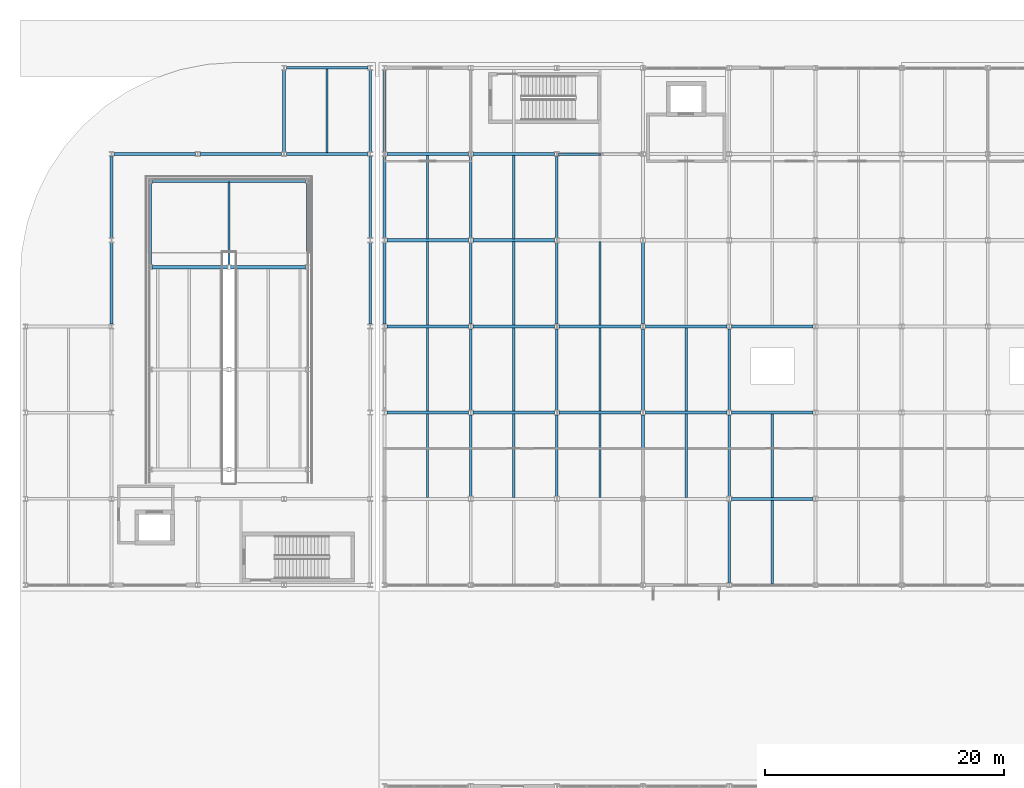
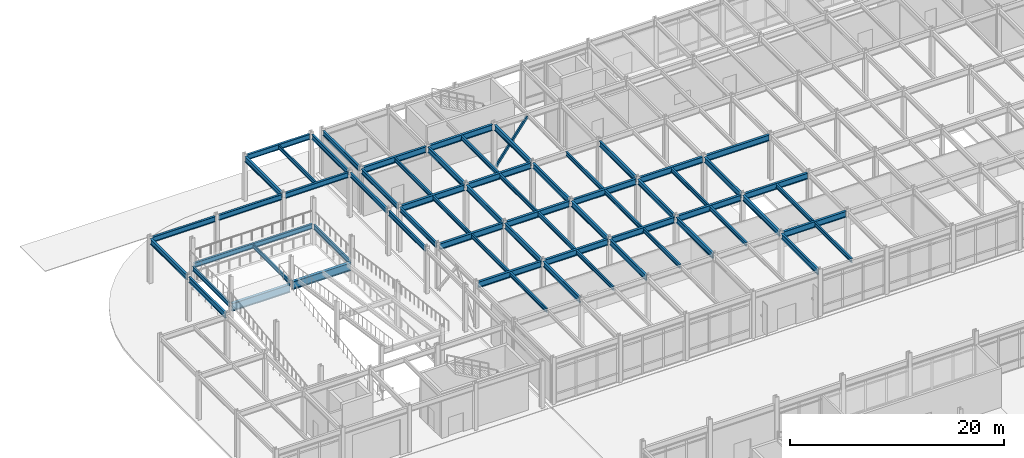
# One storey, part 30 of 104: 64 beams, 1 member.
"""IFC4 building model written with IfcOpenShell, lengths in metres."""

from ifc_helpers import new_model, si_unit, direction, frame, origin, origin_2d, place, context, subcontext, project, spatial, hollow_rectangle, i_section, extrude, material, material_profile, profile_set, type_object, element, save


model = new_model("IFC4")

# Units and contexts
model_context = context("Model", 3, precision=1e-05, world=origin(), true_north=direction((0.0, 1.0)))
body_context = subcontext(model_context, "Body", "Model", "MODEL_VIEW")
ifc_project = project(units=[si_unit("LENGTHUNIT", "METRE"), si_unit("AREAUNIT", "SQUARE_METRE"), si_unit("VOLUMEUNIT", "CUBIC_METRE"), si_unit("PLANEANGLEUNIT", "RADIAN"), si_unit("MASSUNIT", "GRAM", prefix="KILO")], contexts=[model_context])

# Site, building, storey
site_placement = place(None, origin())
site = spatial("IfcSite", under=ifc_project, at=site_placement, CompositionType="ELEMENT")
building_placement = place(site_placement, origin())
building = spatial("IfcBuilding", under=site, at=building_placement, Name="Vaelcorin Mobility Hub", CompositionType="ELEMENT")
storey_placement = place(building_placement, origin())
storey = spatial("IfcBuildingStorey", under=building, at=storey_placement, Name="L00", CompositionType="ELEMENT", Elevation=0.0)

# Beams
ifc_material_1 = material(Name="Steel ASTM A992 Grade 50", Category="steel")
ifc_material_profile_1 = material_profile(ifc_material_1, i_section(OverallWidth=0.152099609375, OverallDepth=0.455078125, WebThickness=0.008056640625, FlangeThickness=0.01318359375, FilletRadius=0.012939453125, at=origin_2d()), Name="W18X40")
ifc_profile_set_1 = profile_set([ifc_material_profile_1], Name="Steel ASTM A992 Grade 50")
beam_type_1 = type_object("IfcBeamType", Name="BM-W18X40", PredefinedType="JOIST", material=ifc_profile_set_1)
beam_1_placement = place(storey_placement, frame((31.199951171875, 112.912109375, 4.922119140625), z_axis=(0.0, 1.0, 0.0), x_axis=(-1.0, 0.0, 0.0)))
element("IfcBeam", 1, at=beam_1_placement, inside=storey, type_object=beam_type_1, Name="L00 Beam V2W-L00-J-04-06-1", PredefinedType="JOIST", context=body_context, shape_type="SweptSolid", body=[
    extrude(i_section(OverallWidth=0.152099609375, OverallDepth=0.455078125, WebThickness=0.008056640625, FlangeThickness=0.01318359375, FilletRadius=0.012939453125, at=origin_2d()), origin(), (0.0, 0.0, 1.0), 6.975830078125),
])
beam_2_placement = place(storey_placement, frame((23.0, 103.52490234375, 2.19189453125), z_axis=(0.0, 1.0, 0.0), x_axis=(-1.0, 0.0, 0.0)))
element("IfcBeam", 2, at=beam_2_placement, inside=storey, type_object=beam_type_1, Name="Vehicle Ramp VR-1 L00 Landing Mid Joist", PredefinedType="JOIST", context=body_context, shape_type="SweptSolid", body=[
    extrude(i_section(OverallWidth=0.152099609375, OverallDepth=0.455078125, WebThickness=0.008056640625, FlangeThickness=0.01318359375, FilletRadius=0.012939453125, at=origin_2d()), origin(), (0.0, 0.0, 1.0), 6.922119140625),
])
ifc_material_profile_2 = material_profile(ifc_material_1, i_section(OverallWidth=0.19091796875, OverallDepth=0.4599609375, WebThickness=0.010009765625, FlangeThickness=0.01611328125, FilletRadius=0.012939453125, at=origin_2d()), Name="W18X55")
ifc_profile_set_2 = profile_set([ifc_material_profile_2], Name="Steel ASTM A992 Grade 50")
beam_type_2 = type_object("IfcBeamType", Name="BM-W18X55", PredefinedType="JOIST", material=ifc_profile_set_2)
for number, where, z_axis, x_axis, name in (
    (3, (39.60009765625, 84.125, 4.929931640625), (0.0, 1.0, 0.0), (-1.0, 0.0, 0.0), "L00 Beam V4-L00-J-01-02-1"),
    (4, (39.60009765625, 91.324951171875, 4.929931640625), (0.0, 1.0, 0.0), (-1.0, 0.0, 0.0), "L00 Beam V4-L00-J-01-03-1"),
):
    element("IfcBeam", number, at=place(storey_placement, frame(where, z_axis=z_axis, x_axis=x_axis)), inside=storey, type_object=beam_type_2, Name=name, PredefinedType="JOIST", context=body_context, shape_type="SweptSolid", body=[
        extrude(i_section(OverallWidth=0.19091796875, OverallDepth=0.4599609375, WebThickness=0.010009765625, FlangeThickness=0.01611328125, FilletRadius=0.012939453125, at=origin_2d()), origin(), (0.0, 0.0, 1.0), 6.949951171875),
    ])
beam_3_placement = place(storey_placement, frame((39.60009765625, 98.52490234375, 4.929931640625), z_axis=(0.0, 1.0, 0.0), x_axis=(-1.0, 0.0, 0.0)))
element("IfcBeam", 5, at=beam_3_placement, inside=storey, type_object=beam_type_2, Name="L00 Beam V4-L00-J-01-04-1", PredefinedType="JOIST", context=body_context, shape_type="SweptSolid", body=[
    extrude(i_section(OverallWidth=0.19091796875, OverallDepth=0.4599609375, WebThickness=0.010009765625, FlangeThickness=0.01611328125, FilletRadius=0.012939453125, at=origin_2d()), origin(), (0.0, 0.0, 1.0), 6.9501953125),
])
for number, where, z_axis, x_axis, name in (
    (6, (39.60009765625, 105.72509765625, 4.929931640625), (0.0, 1.0, 0.0), (-1.0, 0.0, 0.0), "L00 Beam V4-L00-J-01-05-1"),
    (7, (46.800048828125, 84.125, 4.929931640625), (0.0, 1.0, 0.0), (-1.0, 0.0, 0.0), "L00 Beam V4-L00-J-02-02-1"),
    (8, (46.800048828125, 91.324951171875, 4.929931640625), (0.0, 1.0, 0.0), (-1.0, 0.0, 0.0), "L00 Beam V4-L00-J-02-03-1"),
):
    element("IfcBeam", number, at=place(storey_placement, frame(where, z_axis=z_axis, x_axis=x_axis)), inside=storey, type_object=beam_type_2, Name=name, PredefinedType="JOIST", context=body_context, shape_type="SweptSolid", body=[
        extrude(i_section(OverallWidth=0.19091796875, OverallDepth=0.4599609375, WebThickness=0.010009765625, FlangeThickness=0.01611328125, FilletRadius=0.012939453125, at=origin_2d()), origin(), (0.0, 0.0, 1.0), 6.949951171875),
    ])
beam_4_placement = place(storey_placement, frame((46.800048828125, 98.52490234375, 4.929931640625), z_axis=(0.0, 1.0, 0.0), x_axis=(-1.0, 0.0, 0.0)))
element("IfcBeam", 9, at=beam_4_placement, inside=storey, type_object=beam_type_2, Name="L00 Beam V4-L00-J-02-04-1", PredefinedType="JOIST", context=body_context, shape_type="SweptSolid", body=[
    extrude(i_section(OverallWidth=0.19091796875, OverallDepth=0.4599609375, WebThickness=0.010009765625, FlangeThickness=0.01611328125, FilletRadius=0.012939453125, at=origin_2d()), origin(), (0.0, 0.0, 1.0), 6.9501953125),
])
for number, where, z_axis, x_axis, name in (
    (10, (46.800048828125, 105.72509765625, 4.929931640625), (0.0, 1.0, 0.0), (-1.0, 0.0, 0.0), "L00 Beam V4-L00-J-02-05-1"),
    (11, (54.0, 84.125, 4.929931640625), (0.0, 1.0, 0.0), (-1.0, 0.0, 0.0), "L00 Beam V4-L00-J-03-02-1"),
    (12, (54.0, 91.324951171875, 4.929931640625), (0.0, 1.0, 0.0), (-1.0, 0.0, 0.0), "L00 Beam V4-L00-J-03-03-1"),
):
    element("IfcBeam", number, at=place(storey_placement, frame(where, z_axis=z_axis, x_axis=x_axis)), inside=storey, type_object=beam_type_2, Name=name, PredefinedType="JOIST", context=body_context, shape_type="SweptSolid", body=[
        extrude(i_section(OverallWidth=0.19091796875, OverallDepth=0.4599609375, WebThickness=0.010009765625, FlangeThickness=0.01611328125, FilletRadius=0.012939453125, at=origin_2d()), origin(), (0.0, 0.0, 1.0), 6.949951171875),
    ])
beam_5_placement = place(storey_placement, frame((54.0, 98.52490234375, 4.929931640625), z_axis=(0.0, 1.0, 0.0), x_axis=(-1.0, 0.0, 0.0)))
element("IfcBeam", 13, at=beam_5_placement, inside=storey, type_object=beam_type_2, Name="L00 Beam V4-L00-J-03-04-1", PredefinedType="JOIST", context=body_context, shape_type="SweptSolid", body=[
    extrude(i_section(OverallWidth=0.19091796875, OverallDepth=0.4599609375, WebThickness=0.010009765625, FlangeThickness=0.01611328125, FilletRadius=0.012939453125, at=origin_2d()), origin(), (0.0, 0.0, 1.0), 6.9501953125),
])
for number, where, z_axis, x_axis, name in (
    (14, (61.199951171875, 84.125, 4.929931640625), (0.0, 1.0, 0.0), (-1.0, 0.0, 0.0), "L00 Beam V4-L00-J-04-02-1"),
    (15, (61.199951171875, 91.324951171875, 4.929931640625), (0.0, 1.0, 0.0), (-1.0, 0.0, 0.0), "L00 Beam V4-L00-J-04-03-1"),
    (16, (68.39990234375, 76.925048828125, 4.929931640625), (0.0, 1.0, 0.0), (-1.0, 0.0, 0.0), "L00 Beam V4-L00-J-05-01-1"),
    (17, (68.39990234375, 84.125, 4.929931640625), (0.0, 1.0, 0.0), (-1.0, 0.0, 0.0), "L00 Beam V4-L00-J-05-02-1"),
):
    element("IfcBeam", number, at=place(storey_placement, frame(where, z_axis=z_axis, x_axis=x_axis)), inside=storey, type_object=beam_type_2, Name=name, PredefinedType="JOIST", context=body_context, shape_type="SweptSolid", body=[
        extrude(i_section(OverallWidth=0.19091796875, OverallDepth=0.4599609375, WebThickness=0.010009765625, FlangeThickness=0.01611328125, FilletRadius=0.012939453125, at=origin_2d()), origin(), (0.0, 0.0, 1.0), 6.949951171875),
    ])
ifc_material_profile_3 = material_profile(ifc_material_1, i_section(OverallWidth=0.166015625, OverallDepth=0.528076171875, WebThickness=0.009765625, FlangeThickness=0.013671875, FilletRadius=0.013916015625, at=origin_2d()), Name="W21X50")
ifc_profile_set_3 = profile_set([ifc_material_profile_3], Name="Steel ASTM A992 Grade 50")
beam_type_3 = type_object("IfcBeamType", Name="BM-W21X50", PredefinedType="JOIST", material=ifc_profile_set_3)
for number, where, z_axis, x_axis, name in (
    (18, (16.449951171875, 103.52490234375, 1.9560546875), (0.0, 1.0, 0.0), (-1.0, 0.0, 0.0), "Vehicle Ramp VR-1 L00 Landing West Edge Beam"),
    (19, (29.550048828125, 103.52490234375, 2.14501953125), (0.0, 1.0, 0.0), (-1.0, 0.0, 0.0), "Vehicle Ramp VR-1 L00 Landing East Edge Beam"),
):
    element("IfcBeam", number, at=place(storey_placement, frame(where, z_axis=z_axis, x_axis=x_axis)), inside=storey, type_object=beam_type_3, Name=name, PredefinedType="JOIST", context=body_context, shape_type="SweptSolid", body=[
        extrude(i_section(OverallWidth=0.166015625, OverallDepth=0.528076171875, WebThickness=0.009765625, FlangeThickness=0.013671875, FilletRadius=0.013916015625, at=origin_2d()), origin(), (0.0, 0.0, 1.0), 6.85009765625),
    ])
ifc_material_profile_4 = material_profile(ifc_material_1, i_section(OverallWidth=0.2099609375, OverallDepth=0.535888671875, WebThickness=0.010986328125, FlangeThickness=0.017333984375, FilletRadius=0.013916015625, at=origin_2d()), Name="W21X68")
ifc_profile_set_4 = profile_set([ifc_material_profile_4], Name="Steel ASTM A992 Grade 50")
beam_type_4 = type_object("IfcBeamType", Name="BM-W21X68", PredefinedType="SPANDREL", material=ifc_profile_set_4)
beam_6_placement = place(storey_placement, frame((36.0, 98.594970703125, 4.89208984375), z_axis=(0.0, 1.0, 0.0), x_axis=(-1.0, 0.0, 0.0)))
element("IfcBeam", 20, at=beam_6_placement, inside=storey, type_object=beam_type_4, Name="L00 Beam V4-L00-GY-01-04", PredefinedType="SPANDREL", context=body_context, shape_type="SweptSolid", body=[
    extrude(i_section(OverallWidth=0.2099609375, OverallDepth=0.535888671875, WebThickness=0.010986328125, FlangeThickness=0.017333984375, FilletRadius=0.013916015625, at=origin_2d()), origin(), (0.0, 0.0, 1.0), 6.81005859375),
])
beam_7_placement = place(storey_placement, frame((36.0, 105.794921875, 4.89208984375), z_axis=(0.0, 1.0, 0.0), x_axis=(-1.0, 0.0, 0.0)))
element("IfcBeam", 21, at=beam_7_placement, inside=storey, type_object=beam_type_4, Name="L00 Beam V4-L00-GY-01-05", PredefinedType="SPANDREL", context=body_context, shape_type="SweptSolid", body=[
    extrude(i_section(OverallWidth=0.2099609375, OverallDepth=0.535888671875, WebThickness=0.010986328125, FlangeThickness=0.017333984375, FilletRadius=0.013916015625, at=origin_2d()), origin(), (0.0, 0.0, 1.0), 6.80419921875),
])
beam_8_placement = place(storey_placement, frame((36.0, 113.0009765625, 4.89208984375), z_axis=(0.0, 1.0, 0.0), x_axis=(-1.0, 0.0, 0.0)))
element("IfcBeam", 22, at=beam_8_placement, inside=storey, type_object=beam_type_4, Name="L00 Beam V4-L00-GY-01-06", PredefinedType="SPANDREL", context=body_context, shape_type="SweptSolid", body=[
    extrude(i_section(OverallWidth=0.2099609375, OverallDepth=0.535888671875, WebThickness=0.010986328125, FlangeThickness=0.017333984375, FilletRadius=0.013916015625, at=origin_2d()), origin(), (0.0, 0.0, 1.0), 6.803955078125),
])
beam_9_placement = place(storey_placement, frame((34.800048828125, 98.589111328125, 4.882080078125), z_axis=(0.0, 1.0, 0.0), x_axis=(-1.0, 0.0, 0.0)))
element("IfcBeam", 23, at=beam_9_placement, inside=storey, type_object=beam_type_4, Name="L00 Beam V2W-L00-GY-05-04", PredefinedType="SPANDREL", context=body_context, shape_type="SweptSolid", body=[
    extrude(i_section(OverallWidth=0.2099609375, OverallDepth=0.535888671875, WebThickness=0.010986328125, FlangeThickness=0.017333984375, FilletRadius=0.013916015625, at=origin_2d()), origin(), (0.0, 0.0, 1.0), 6.82177734375),
])
beam_10_placement = place(storey_placement, frame((34.800048828125, 105.7880859375, 4.882080078125), z_axis=(0.0, 1.0, 0.0), x_axis=(-1.0, 0.0, 0.0)))
element("IfcBeam", 24, at=beam_10_placement, inside=storey, type_object=beam_type_4, Name="L00 Beam V2W-L00-GY-05-05", PredefinedType="SPANDREL", context=body_context, shape_type="SweptSolid", body=[
    extrude(i_section(OverallWidth=0.2099609375, OverallDepth=0.535888671875, WebThickness=0.010986328125, FlangeThickness=0.017333984375, FilletRadius=0.013916015625, at=origin_2d()), origin(), (0.0, 0.0, 1.0), 6.822998046875),
])
beam_11_placement = place(storey_placement, frame((34.800048828125, 112.988037109375, 4.882080078125), z_axis=(0.0, 1.0, 0.0), x_axis=(-1.0, 0.0, 0.0)))
element("IfcBeam", 25, at=beam_11_placement, inside=storey, type_object=beam_type_4, Name="L00 Beam V2W-L00-GY-05-06", PredefinedType="SPANDREL", context=body_context, shape_type="SweptSolid", body=[
    extrude(i_section(OverallWidth=0.2099609375, OverallDepth=0.535888671875, WebThickness=0.010986328125, FlangeThickness=0.017333984375, FilletRadius=0.013916015625, at=origin_2d()), origin(), (0.0, 0.0, 1.0), 6.823974609375),
])
beam_12_placement = place(storey_placement, frame((16.580078125, 110.550048828125, 2.152099609375), z_axis=(1.0, 0.0, 0.0), x_axis=(0.0, 1.0, 0.0)))
element("IfcBeam", 26, at=beam_12_placement, inside=storey, type_object=beam_type_4, Name="Vehicle Ramp VR-1 L00 Landing Back Girder", PredefinedType="SPANDREL", context=body_context, shape_type="SweptSolid", body=[
    extrude(i_section(OverallWidth=0.2099609375, OverallDepth=0.535888671875, WebThickness=0.010986328125, FlangeThickness=0.017333984375, FilletRadius=0.013916015625, at=origin_2d()), origin(), (0.0, 0.0, 1.0), 12.83984375),
])
ifc_material_profile_5 = material_profile(ifc_material_1, i_section(OverallWidth=0.22802734375, OverallDepth=0.60205078125, WebThickness=0.010498046875, FlangeThickness=0.014892578125, FilletRadius=0.014892578125, at=origin_2d()), Name="W24X68")
ifc_profile_set_5 = profile_set([ifc_material_profile_5], Name="Steel ASTM A992 Grade 50")
beam_type_5 = type_object("IfcBeamType", Name="BM-W24X68", PredefinedType="SPANDREL", material=ifc_profile_set_5)
beam_13_placement = place(storey_placement, frame((27.7958984375, 120.0, 4.84912109375), z_axis=(1.0, 0.0, 0.0), x_axis=(0.0, 1.0, 0.0)))
element("IfcBeam", 27, at=beam_13_placement, inside=storey, type_object=beam_type_5, Name="L00 Beam V2W-L00-GX-07-04", PredefinedType="SPANDREL", context=body_context, shape_type="SweptSolid", body=[
    extrude(i_section(OverallWidth=0.22802734375, OverallDepth=0.60205078125, WebThickness=0.010498046875, FlangeThickness=0.014892578125, FilletRadius=0.014892578125, at=origin_2d()), origin(), (0.0, 0.0, 1.0), 6.80810546875),
])
ifc_material_profile_6 = material_profile(ifc_material_1, i_section(OverallWidth=0.22900390625, OverallDepth=0.612060546875, WebThickness=0.011962890625, FlangeThickness=0.01953125, FilletRadius=0.014892578125, at=origin_2d()), Name="W24X84")
ifc_profile_set_6 = profile_set([ifc_material_profile_6], Name="Steel ASTM A992 Grade 50")
beam_type_6 = type_object("IfcBeamType", Name="BM-W24X84", PredefinedType="BEAM", material=ifc_profile_set_6)
beam_14_placement = place(storey_placement, frame((43.199951171875, 84.200927734375, 4.85400390625), z_axis=(0.0, 1.0, 0.0), x_axis=(-1.0, 0.0, 0.0)))
element("IfcBeam", 28, at=beam_14_placement, inside=storey, type_object=beam_type_6, Name="L00 Beam V4-L00-GY-02-02", PredefinedType="BEAM", context=body_context, shape_type="SweptSolid", body=[
    extrude(i_section(OverallWidth=0.22900390625, OverallDepth=0.612060546875, WebThickness=0.011962890625, FlangeThickness=0.01953125, FilletRadius=0.014892578125, at=origin_2d()), origin(), (0.0, 0.0, 1.0), 6.803955078125),
])
for number, where, z_axis, x_axis, name in (
    (29, (43.199951171875, 91.39501953125, 4.85400390625), (0.0, 1.0, 0.0), (-1.0, 0.0, 0.0), "L00 Beam V4-L00-GY-02-03"),
    (30, (43.199951171875, 98.594970703125, 4.85400390625), (0.0, 1.0, 0.0), (-1.0, 0.0, 0.0), "L00 Beam V4-L00-GY-02-04"),
):
    element("IfcBeam", number, at=place(storey_placement, frame(where, z_axis=z_axis, x_axis=x_axis)), inside=storey, type_object=beam_type_6, Name=name, PredefinedType="BEAM", context=body_context, shape_type="SweptSolid", body=[
        extrude(i_section(OverallWidth=0.22900390625, OverallDepth=0.612060546875, WebThickness=0.011962890625, FlangeThickness=0.01953125, FilletRadius=0.014892578125, at=origin_2d()), origin(), (0.0, 0.0, 1.0), 6.81005859375),
    ])
beam_15_placement = place(storey_placement, frame((43.199951171875, 105.794921875, 4.85400390625), z_axis=(0.0, 1.0, 0.0), x_axis=(-1.0, 0.0, 0.0)))
element("IfcBeam", 31, at=beam_15_placement, inside=storey, type_object=beam_type_6, Name="L00 Beam V4-L00-GY-02-05", PredefinedType="BEAM", context=body_context, shape_type="SweptSolid", body=[
    extrude(i_section(OverallWidth=0.22900390625, OverallDepth=0.612060546875, WebThickness=0.011962890625, FlangeThickness=0.01953125, FilletRadius=0.014892578125, at=origin_2d()), origin(), (0.0, 0.0, 1.0), 6.80419921875),
])
beam_16_placement = place(storey_placement, frame((50.39990234375, 84.200927734375, 4.85400390625), z_axis=(0.0, 1.0, 0.0), x_axis=(-1.0, 0.0, 0.0)))
element("IfcBeam", 32, at=beam_16_placement, inside=storey, type_object=beam_type_6, Name="L00 Beam V4-L00-GY-03-02", PredefinedType="BEAM", context=body_context, shape_type="SweptSolid", body=[
    extrude(i_section(OverallWidth=0.22900390625, OverallDepth=0.612060546875, WebThickness=0.011962890625, FlangeThickness=0.01953125, FilletRadius=0.014892578125, at=origin_2d()), origin(), (0.0, 0.0, 1.0), 6.803955078125),
])
for number, where, z_axis, x_axis, name in (
    (33, (50.39990234375, 91.39501953125, 4.85400390625), (0.0, 1.0, 0.0), (-1.0, 0.0, 0.0), "L00 Beam V4-L00-GY-03-03"),
    (34, (50.39990234375, 98.594970703125, 4.85400390625), (0.0, 1.0, 0.0), (-1.0, 0.0, 0.0), "L00 Beam V4-L00-GY-03-04"),
):
    element("IfcBeam", number, at=place(storey_placement, frame(where, z_axis=z_axis, x_axis=x_axis)), inside=storey, type_object=beam_type_6, Name=name, PredefinedType="BEAM", context=body_context, shape_type="SweptSolid", body=[
        extrude(i_section(OverallWidth=0.22900390625, OverallDepth=0.612060546875, WebThickness=0.011962890625, FlangeThickness=0.01953125, FilletRadius=0.014892578125, at=origin_2d()), origin(), (0.0, 0.0, 1.0), 6.81005859375),
    ])
beam_17_placement = place(storey_placement, frame((50.39990234375, 105.794921875, 4.85400390625), z_axis=(0.0, 1.0, 0.0), x_axis=(-1.0, 0.0, 0.0)))
element("IfcBeam", 35, at=beam_17_placement, inside=storey, type_object=beam_type_6, Name="L00 Beam V4-L00-GY-03-05", PredefinedType="BEAM", context=body_context, shape_type="SweptSolid", body=[
    extrude(i_section(OverallWidth=0.22900390625, OverallDepth=0.612060546875, WebThickness=0.011962890625, FlangeThickness=0.01953125, FilletRadius=0.014892578125, at=origin_2d()), origin(), (0.0, 0.0, 1.0), 6.80419921875),
])
beam_18_placement = place(storey_placement, frame((57.60009765625, 84.200927734375, 4.85400390625), z_axis=(0.0, 1.0, 0.0), x_axis=(-1.0, 0.0, 0.0)))
element("IfcBeam", 36, at=beam_18_placement, inside=storey, type_object=beam_type_6, Name="L00 Beam V4-L00-GY-04-02", PredefinedType="BEAM", context=body_context, shape_type="SweptSolid", body=[
    extrude(i_section(OverallWidth=0.22900390625, OverallDepth=0.612060546875, WebThickness=0.011962890625, FlangeThickness=0.01953125, FilletRadius=0.014892578125, at=origin_2d()), origin(), (0.0, 0.0, 1.0), 6.803955078125),
])
for number, where, z_axis, x_axis, name in (
    (37, (57.60009765625, 91.39501953125, 4.85400390625), (0.0, 1.0, 0.0), (-1.0, 0.0, 0.0), "L00 Beam V4-L00-GY-04-03"),
    (38, (57.60009765625, 98.594970703125, 4.85400390625), (0.0, 1.0, 0.0), (-1.0, 0.0, 0.0), "L00 Beam V4-L00-GY-04-04"),
):
    element("IfcBeam", number, at=place(storey_placement, frame(where, z_axis=z_axis, x_axis=x_axis)), inside=storey, type_object=beam_type_6, Name=name, PredefinedType="BEAM", context=body_context, shape_type="SweptSolid", body=[
        extrude(i_section(OverallWidth=0.22900390625, OverallDepth=0.612060546875, WebThickness=0.011962890625, FlangeThickness=0.01953125, FilletRadius=0.014892578125, at=origin_2d()), origin(), (0.0, 0.0, 1.0), 6.81005859375),
    ])
for number, where, z_axis, x_axis, name in (
    (39, (64.800048828125, 76.9951171875, 4.85400390625), (0.0, 1.0, 0.0), (-1.0, 0.0, 0.0), "L00 Beam V4-L00-GY-05-01"),
    (40, (64.800048828125, 84.200927734375, 4.85400390625), (0.0, 1.0, 0.0), (-1.0, 0.0, 0.0), "L00 Beam V4-L00-GY-05-02"),
):
    element("IfcBeam", number, at=place(storey_placement, frame(where, z_axis=z_axis, x_axis=x_axis)), inside=storey, type_object=beam_type_6, Name=name, PredefinedType="BEAM", context=body_context, shape_type="SweptSolid", body=[
        extrude(i_section(OverallWidth=0.22900390625, OverallDepth=0.612060546875, WebThickness=0.011962890625, FlangeThickness=0.01953125, FilletRadius=0.014892578125, at=origin_2d()), origin(), (0.0, 0.0, 1.0), 6.803955078125),
    ])
beam_19_placement = place(storey_placement, frame((64.800048828125, 91.39501953125, 4.85400390625), z_axis=(0.0, 1.0, 0.0), x_axis=(-1.0, 0.0, 0.0)))
element("IfcBeam", 41, at=beam_19_placement, inside=storey, type_object=beam_type_6, Name="L00 Beam V4-L00-GY-05-03", PredefinedType="BEAM", context=body_context, shape_type="SweptSolid", body=[
    extrude(i_section(OverallWidth=0.22900390625, OverallDepth=0.612060546875, WebThickness=0.011962890625, FlangeThickness=0.01953125, FilletRadius=0.014892578125, at=origin_2d()), origin(), (0.0, 0.0, 1.0), 6.81005859375),
])
for number, where, z_axis, x_axis, name in (
    (42, (13.39599609375, 112.800048828125, 4.843994140625), (1.0, 0.0, 0.0), (0.0, 1.0, 0.0), "L00 Beam V2W-L00-GX-06-02"),
    (43, (20.595947265625, 112.800048828125, 4.843994140625), (1.0, 0.0, 0.0), (0.0, 1.0, 0.0), "L00 Beam V2W-L00-GX-06-03"),
    (44, (27.7958984375, 112.800048828125, 4.843994140625), (1.0, 0.0, 0.0), (0.0, 1.0, 0.0), "L00 Beam V2W-L00-GX-06-04"),
):
    element("IfcBeam", number, at=place(storey_placement, frame(where, z_axis=z_axis, x_axis=x_axis)), inside=storey, type_object=beam_type_6, Name=name, PredefinedType="BEAM", context=body_context, shape_type="SweptSolid", body=[
        extrude(i_section(OverallWidth=0.22900390625, OverallDepth=0.612060546875, WebThickness=0.011962890625, FlangeThickness=0.01953125, FilletRadius=0.014892578125, at=origin_2d()), origin(), (0.0, 0.0, 1.0), 6.80810546875),
    ])
beam_20_placement = place(storey_placement, frame((13.199951171875, 98.589111328125, 4.843994140625), z_axis=(0.0, 1.0, 0.0), x_axis=(-1.0, 0.0, 0.0)))
element("IfcBeam", 45, at=beam_20_placement, inside=storey, type_object=beam_type_6, Name="L00 Beam V2W-L00-GY-02-04", PredefinedType="BEAM", context=body_context, shape_type="SweptSolid", body=[
    extrude(i_section(OverallWidth=0.22900390625, OverallDepth=0.612060546875, WebThickness=0.011962890625, FlangeThickness=0.01953125, FilletRadius=0.014892578125, at=origin_2d()), origin(), (0.0, 0.0, 1.0), 6.82177734375),
])
beam_21_placement = place(storey_placement, frame((13.199951171875, 105.7880859375, 4.843994140625), z_axis=(0.0, 1.0, 0.0), x_axis=(-1.0, 0.0, 0.0)))
element("IfcBeam", 46, at=beam_21_placement, inside=storey, type_object=beam_type_6, Name="L00 Beam V2W-L00-GY-02-05", PredefinedType="BEAM", context=body_context, shape_type="SweptSolid", body=[
    extrude(i_section(OverallWidth=0.22900390625, OverallDepth=0.612060546875, WebThickness=0.011962890625, FlangeThickness=0.01953125, FilletRadius=0.014892578125, at=origin_2d()), origin(), (0.0, 0.0, 1.0), 6.822998046875),
])
beam_22_placement = place(storey_placement, frame((27.60009765625, 112.988037109375, 4.843994140625), z_axis=(0.0, 1.0, 0.0), x_axis=(-1.0, 0.0, 0.0)))
element("IfcBeam", 47, at=beam_22_placement, inside=storey, type_object=beam_type_6, Name="L00 Beam V2W-L00-GY-04-06", PredefinedType="BEAM", context=body_context, shape_type="SweptSolid", body=[
    extrude(i_section(OverallWidth=0.22900390625, OverallDepth=0.612060546875, WebThickness=0.011962890625, FlangeThickness=0.01953125, FilletRadius=0.014892578125, at=origin_2d()), origin(), (0.0, 0.0, 1.0), 6.823974609375),
])
ifc_material_profile_7 = material_profile(ifc_material_1, i_section(OverallWidth=0.25390625, OverallDepth=0.68310546875, WebThickness=0.012451171875, FlangeThickness=0.018798828125, FilletRadius=0.01611328125, at=origin_2d()), Name="W27X94")
ifc_profile_set_7 = profile_set([ifc_material_profile_7], Name="Steel ASTM A992 Grade 50")
beam_type_7 = type_object("IfcBeamType", Name="BM-W27X94", PredefinedType="BEAM", material=ifc_profile_set_7)
beam_23_placement = place(storey_placement, frame((65.0, 84.0, 4.818115234375), z_axis=(1.0, 0.0, 0.0), x_axis=(0.0, 1.0, 0.0)))
element("IfcBeam", 48, at=beam_23_placement, inside=storey, type_object=beam_type_7, Name="L00 Beam V4-L00-GX-02-05", PredefinedType="BEAM", context=body_context, shape_type="SweptSolid", body=[
    extrude(i_section(OverallWidth=0.25390625, OverallDepth=0.68310546875, WebThickness=0.012451171875, FlangeThickness=0.018798828125, FilletRadius=0.01611328125, at=origin_2d()), origin(), (0.0, 0.0, 1.0), 6.800048828125),
])
beam_24_placement = place(storey_placement, frame((36.197998046875, 91.199951171875, 4.818115234375), z_axis=(1.0, 0.0, 0.0), x_axis=(0.0, 1.0, 0.0)))
element("IfcBeam", 49, at=beam_24_placement, inside=storey, type_object=beam_type_7, Name="L00 Beam V4-L00-GX-03-01", PredefinedType="BEAM", context=body_context, shape_type="SweptSolid", body=[
    extrude(i_section(OverallWidth=0.25390625, OverallDepth=0.68310546875, WebThickness=0.012451171875, FlangeThickness=0.018798828125, FilletRadius=0.01611328125, at=origin_2d()), origin(), (0.0, 0.0, 1.0), 6.804931640625),
])
beam_25_placement = place(storey_placement, frame((43.39794921875, 91.199951171875, 4.818115234375), z_axis=(1.0, 0.0, 0.0), x_axis=(0.0, 1.0, 0.0)))
element("IfcBeam", 50, at=beam_25_placement, inside=storey, type_object=beam_type_7, Name="L00 Beam V4-L00-GX-03-02", PredefinedType="BEAM", context=body_context, shape_type="SweptSolid", body=[
    extrude(i_section(OverallWidth=0.25390625, OverallDepth=0.68310546875, WebThickness=0.012451171875, FlangeThickness=0.018798828125, FilletRadius=0.01611328125, at=origin_2d()), origin(), (0.0, 0.0, 1.0), 6.803955078125),
])
beam_26_placement = place(storey_placement, frame((50.597900390625, 91.199951171875, 4.818115234375), z_axis=(1.0, 0.0, 0.0), x_axis=(0.0, 1.0, 0.0)))
element("IfcBeam", 51, at=beam_26_placement, inside=storey, type_object=beam_type_7, Name="L00 Beam V4-L00-GX-03-03", PredefinedType="BEAM", context=body_context, shape_type="SweptSolid", body=[
    extrude(i_section(OverallWidth=0.25390625, OverallDepth=0.68310546875, WebThickness=0.012451171875, FlangeThickness=0.018798828125, FilletRadius=0.01611328125, at=origin_2d()), origin(), (0.0, 0.0, 1.0), 6.80419921875),
])
for number, where, z_axis, x_axis, name in (
    (52, (57.798095703125, 91.199951171875, 4.818115234375), (1.0, 0.0, 0.0), (0.0, 1.0, 0.0), "L00 Beam V4-L00-GX-03-04"),
    (53, (64.998046875, 91.199951171875, 4.818115234375), (1.0, 0.0, 0.0), (0.0, 1.0, 0.0), "L00 Beam V4-L00-GX-03-05"),
):
    element("IfcBeam", number, at=place(storey_placement, frame(where, z_axis=z_axis, x_axis=x_axis)), inside=storey, type_object=beam_type_7, Name=name, PredefinedType="BEAM", context=body_context, shape_type="SweptSolid", body=[
        extrude(i_section(OverallWidth=0.25390625, OverallDepth=0.68310546875, WebThickness=0.012451171875, FlangeThickness=0.018798828125, FilletRadius=0.01611328125, at=origin_2d()), origin(), (0.0, 0.0, 1.0), 6.803955078125),
    ])
beam_27_placement = place(storey_placement, frame((36.197998046875, 98.39990234375, 4.818115234375), z_axis=(1.0, 0.0, 0.0), x_axis=(0.0, 1.0, 0.0)))
element("IfcBeam", 54, at=beam_27_placement, inside=storey, type_object=beam_type_7, Name="L00 Beam V4-L00-GX-04-01", PredefinedType="BEAM", context=body_context, shape_type="SweptSolid", body=[
    extrude(i_section(OverallWidth=0.25390625, OverallDepth=0.68310546875, WebThickness=0.012451171875, FlangeThickness=0.018798828125, FilletRadius=0.01611328125, at=origin_2d()), origin(), (0.0, 0.0, 1.0), 6.804931640625),
])
beam_28_placement = place(storey_placement, frame((43.39794921875, 98.39990234375, 4.818115234375), z_axis=(1.0, 0.0, 0.0), x_axis=(0.0, 1.0, 0.0)))
element("IfcBeam", 55, at=beam_28_placement, inside=storey, type_object=beam_type_7, Name="L00 Beam V4-L00-GX-04-02", PredefinedType="BEAM", context=body_context, shape_type="SweptSolid", body=[
    extrude(i_section(OverallWidth=0.25390625, OverallDepth=0.68310546875, WebThickness=0.012451171875, FlangeThickness=0.018798828125, FilletRadius=0.01611328125, at=origin_2d()), origin(), (0.0, 0.0, 1.0), 6.803955078125),
])
beam_29_placement = place(storey_placement, frame((50.597900390625, 98.39990234375, 4.818115234375), z_axis=(1.0, 0.0, 0.0), x_axis=(0.0, 1.0, 0.0)))
element("IfcBeam", 56, at=beam_29_placement, inside=storey, type_object=beam_type_7, Name="L00 Beam V4-L00-GX-04-03", PredefinedType="BEAM", context=body_context, shape_type="SweptSolid", body=[
    extrude(i_section(OverallWidth=0.25390625, OverallDepth=0.68310546875, WebThickness=0.012451171875, FlangeThickness=0.018798828125, FilletRadius=0.01611328125, at=origin_2d()), origin(), (0.0, 0.0, 1.0), 6.80419921875),
])
for number, where, z_axis, x_axis, name in (
    (57, (57.798095703125, 98.39990234375, 4.818115234375), (1.0, 0.0, 0.0), (0.0, 1.0, 0.0), "L00 Beam V4-L00-GX-04-04"),
    (58, (64.998046875, 98.39990234375, 4.818115234375), (1.0, 0.0, 0.0), (0.0, 1.0, 0.0), "L00 Beam V4-L00-GX-04-05"),
):
    element("IfcBeam", number, at=place(storey_placement, frame(where, z_axis=z_axis, x_axis=x_axis)), inside=storey, type_object=beam_type_7, Name=name, PredefinedType="BEAM", context=body_context, shape_type="SweptSolid", body=[
        extrude(i_section(OverallWidth=0.25390625, OverallDepth=0.68310546875, WebThickness=0.012451171875, FlangeThickness=0.018798828125, FilletRadius=0.01611328125, at=origin_2d()), origin(), (0.0, 0.0, 1.0), 6.803955078125),
    ])
beam_30_placement = place(storey_placement, frame((36.197998046875, 105.60009765625, 4.818115234375), z_axis=(1.0, 0.0, 0.0), x_axis=(0.0, 1.0, 0.0)))
element("IfcBeam", 59, at=beam_30_placement, inside=storey, type_object=beam_type_7, Name="L00 Beam V4-L00-GX-05-01", PredefinedType="BEAM", context=body_context, shape_type="SweptSolid", body=[
    extrude(i_section(OverallWidth=0.25390625, OverallDepth=0.68310546875, WebThickness=0.012451171875, FlangeThickness=0.018798828125, FilletRadius=0.01611328125, at=origin_2d()), origin(), (0.0, 0.0, 1.0), 6.804931640625),
])
beam_31_placement = place(storey_placement, frame((43.39794921875, 105.60009765625, 4.818115234375), z_axis=(1.0, 0.0, 0.0), x_axis=(0.0, 1.0, 0.0)))
element("IfcBeam", 60, at=beam_31_placement, inside=storey, type_object=beam_type_7, Name="L00 Beam V4-L00-GX-05-02", PredefinedType="BEAM", context=body_context, shape_type="SweptSolid", body=[
    extrude(i_section(OverallWidth=0.25390625, OverallDepth=0.68310546875, WebThickness=0.012451171875, FlangeThickness=0.018798828125, FilletRadius=0.01611328125, at=origin_2d()), origin(), (0.0, 0.0, 1.0), 6.803955078125),
])
for number, where, z_axis, x_axis, name in (
    (61, (36.199951171875, 112.800048828125, 4.818115234375), (1.0, 0.0, 0.0), (0.0, 1.0, 0.0), "L00 Beam V4-L00-GX-06-01"),
    (62, (43.39990234375, 112.800048828125, 4.818115234375), (1.0, 0.0, 0.0), (0.0, 1.0, 0.0), "L00 Beam V4-L00-GX-06-02"),
):
    element("IfcBeam", number, at=place(storey_placement, frame(where, z_axis=z_axis, x_axis=x_axis)), inside=storey, type_object=beam_type_7, Name=name, PredefinedType="BEAM", context=body_context, shape_type="SweptSolid", body=[
        extrude(i_section(OverallWidth=0.25390625, OverallDepth=0.68310546875, WebThickness=0.012451171875, FlangeThickness=0.018798828125, FilletRadius=0.01611328125, at=origin_2d()), origin(), (0.0, 0.0, 1.0), 6.800048828125),
    ])
ifc_material_profile_8 = material_profile(ifc_material_1, i_section(OverallWidth=0.304931640625, OverallDepth=0.9140625, WebThickness=0.0166015625, FlangeThickness=0.02587890625, FilletRadius=0.02001953125, at=origin_2d()), Name="W36X160")
ifc_profile_set_8 = profile_set([ifc_material_profile_8], Name="Steel ASTM A992 Grade 50")
beam_type_8 = type_object("IfcBeamType", Name="BM-W36X160", PredefinedType="BEAM", material=ifc_profile_set_8)
for number, where, z_axis, x_axis, name in (
    (63, (16.580078125, 103.35009765625, 1.762939453125), (1.0, 0.0, 0.0), (0.0, 1.0, 0.0), "Vehicle Ramp VR-1 L00 Landing Girder NW"),
    (64, (23.1298828125, 103.35009765625, 1.951904296875), (1.0, 0.0, 0.0), (0.0, 1.0, 0.0), "Vehicle Ramp VR-1 L00 Landing Girder NE"),
):
    element("IfcBeam", number, at=place(storey_placement, frame(where, z_axis=z_axis, x_axis=x_axis)), inside=storey, type_object=beam_type_8, Name=name, PredefinedType="BEAM", context=body_context, shape_type="SweptSolid", body=[
        extrude(i_section(OverallWidth=0.304931640625, OverallDepth=0.9140625, WebThickness=0.0166015625, FlangeThickness=0.02587890625, FilletRadius=0.02001953125, at=origin_2d()), origin(), (0.0, 0.0, 1.0), 6.2900390625),
    ])

# Member
ifc_material_2 = material(Name="Steel ASTM A500 Grade C", Category="steel")
ifc_material_profile_9 = material_profile(ifc_material_2, hollow_rectangle(XDim=0.203125, YDim=0.203125, WallThickness=0.01171875, at=origin_2d()), Name="HSS8X8X0.500")
ifc_profile_set_9 = profile_set([ifc_material_profile_9], Name="Steel ASTM A500 Grade C")
member_type = type_object("IfcMemberType", Name="BR-SCBF-8X8", PredefinedType="BRACE", material=ifc_profile_set_9)
member_placement = place(storey_placement, frame((50.590087890625, 112.800048828125, 0.179931640625), z_axis=(0.598018326756, 0.0, 0.801482427046), x_axis=(0.0, 1.0, 0.0)))
element("IfcMember", 65, at=member_placement, inside=storey, type_object=member_type, Name="SCBF Chevron Brace V4-BX1-L00-A", PredefinedType="BRACE", context=body_context, shape_type="SweptSolid", body=[
    extrude(hollow_rectangle(XDim=0.203125, YDim=0.203125, WallThickness=0.01171875, at=origin_2d()), origin(), (0.0, 0.0, 1.0), 5.701904296875),
])

save(model, "model.ifc")
